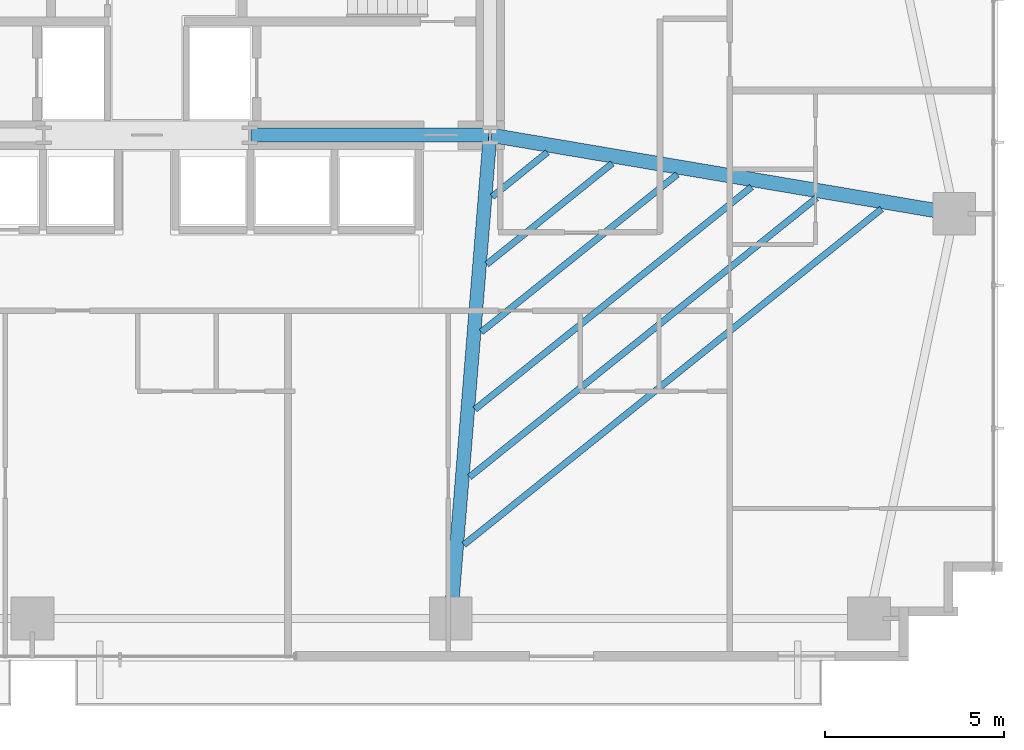
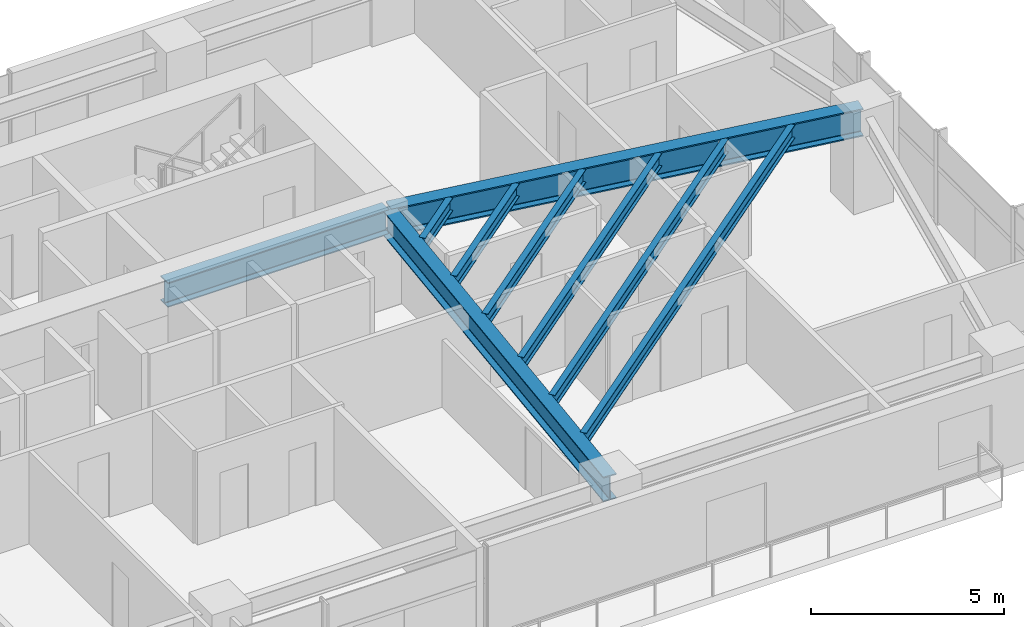
# One storey, part 13 of 25: 9 beams.
"""IFC4 building model written with IfcOpenShell, lengths in metres."""

from ifc_helpers import new_model, si_unit, direction, frame, origin, origin_2d, place, context, subcontext, project, spatial, i_section, extrude, source, transform, mapped, material, material_profile, profile_set, type_object, type_shapes, element, save


model = new_model("IFC4")

# Units and contexts
model_context = context("Model", 3, precision=1e-05, world=origin(), true_north=direction((0.0, 1.0)))
body_context = subcontext(model_context, "Body", "Model", "MODEL_VIEW")
ifc_project = project(units=[si_unit("LENGTHUNIT", "METRE"), si_unit("AREAUNIT", "SQUARE_METRE"), si_unit("VOLUMEUNIT", "CUBIC_METRE"), si_unit("PLANEANGLEUNIT", "RADIAN"), si_unit("MASSUNIT", "GRAM", prefix="KILO")], contexts=[model_context])

# Site, building, storey
site_placement = place(None, origin())
site = spatial("IfcSite", under=ifc_project, at=site_placement, CompositionType="ELEMENT")
building_placement = place(site_placement, origin())
building = spatial("IfcBuilding", under=site, at=building_placement, Name="Astriad Promenade Condominiums", CompositionType="ELEMENT")
storey_placement = place(building_placement, frame((0.0, 0.0, 61.39990234375)))
storey = spatial("IfcBuildingStorey", under=building, at=storey_placement, Name="L17", CompositionType="ELEMENT", Elevation=61.39990234375)

# Beams
ifc_material = material(Name="Steel ASTM A992 Grade 50", Category="steel")
ifc_material_profile_1 = material_profile(ifc_material, i_section(OverallWidth=0.3837890625, OverallDepth=0.785888671875, WebThickness=0.019775390625, FlangeThickness=0.033447265625, FilletRadius=0.021484375, at=origin_2d()), Name="W30X211")
ifc_profile_set_1 = profile_set([ifc_material_profile_1], Name="Steel ASTM A992 Grade 50")
beam_type_1 = type_object("IfcBeamType", Name="STEEL FLOOR GIRDER W30X211", PredefinedType="BEAM", material=ifc_profile_set_1)
shared_shape_1 = source(origin(), body_context, "Body", "SweptSolid", [
    extrude(i_section(OverallWidth=0.3837890625, OverallDepth=0.785888671875, WebThickness=0.019775390625, FlangeThickness=0.033447265625, FilletRadius=0.021484375, at=origin_2d()), origin(), (0.0, 0.0, 1.0), 6.64013671875),
])
beam_1_placement = place(storey_placement, frame((38.919921875, 17.39990234375, 2.547119140625), z_axis=(1.0, 0.0, 0.0), x_axis=(0.0, 1.0, 0.0)))
element("IfcBeam", 1, at=beam_1_placement, inside=storey, type_object=beam_type_1, Name="Core Ring Beam CG-S3-L17", PredefinedType="BEAM", context=body_context, shape_type="MappedRepresentation", body=[
    mapped(shared_shape_1, transform((0.0, 0.0, 0.0), scale=1.0)),
])
shared_shape_2 = source(origin(), body_context, "Body", "SweptSolid", [
    extrude(i_section(OverallWidth=0.3837890625, OverallDepth=0.785888671875, WebThickness=0.019775390625, FlangeThickness=0.033447265625, FilletRadius=0.021484375, at=origin_2d()), origin(), (0.0, 0.0, 1.0), 13.484619140625),
])
type_shapes(beam_type_1, [shared_shape_1, shared_shape_2])
beam_2_placement = place(storey_placement, frame((44.503173828125, 3.919921875, 2.547119140625), z_axis=(0.081092961134, 0.996706542396, 0.0), x_axis=(-0.996706542396, 0.081092961134, 0.0)))
element("IfcBeam", 2, at=beam_2_placement, inside=storey, type_object=beam_type_1, Name="Primary Floor Girder PG-E2-L17", PredefinedType="BEAM", context=body_context, shape_type="MappedRepresentation", body=[
    mapped(shared_shape_2, transform((0.0, 0.0, 0.0), scale=1.0)),
])
ifc_material_profile_2 = material_profile(ifc_material, i_section(OverallWidth=0.4013671875, OverallDepth=0.877197265625, WebThickness=0.022216796875, FlangeThickness=0.039794921875, FilletRadius=0.02294921875, at=origin_2d()), Name="W33X263")
ifc_profile_set_2 = profile_set([ifc_material_profile_2], Name="Steel ASTM A992 Grade 50")
beam_type_2 = type_object("IfcBeamType", Name="STEEL PRIMARY GIRDER W33X263", PredefinedType="BEAM", material=ifc_profile_set_2)
shared_shape_3 = source(origin(), body_context, "Body", "SweptSolid", [
    extrude(i_section(OverallWidth=0.4013671875, OverallDepth=0.877197265625, WebThickness=0.022216796875, FlangeThickness=0.039794921875, FilletRadius=0.02294921875, at=origin_2d()), origin(), (0.0, 0.0, 1.0), 13.085205078125),
])
type_shapes(beam_type_2, [shared_shape_3])
beam_3_placement = place(storey_placement, frame((58.54052734375, 15.206787109375, 2.501708984375), z_axis=(-0.985939912267, 0.167100237577, 0.0), x_axis=(-0.167100237577, -0.985939912267, 0.0)))
element("IfcBeam", 3, at=beam_3_placement, inside=storey, type_object=beam_type_2, Name="Primary Floor Girder PG-EM-L17", PredefinedType="BEAM", context=body_context, shape_type="MappedRepresentation", body=[
    mapped(shared_shape_3, transform((0.0, 0.0, 0.0), scale=1.0)),
])
ifc_material_profile_3 = material_profile(ifc_material, i_section(OverallWidth=0.180908203125, OverallDepth=0.417236328125, WebThickness=0.010986328125, FlangeThickness=0.018310546875, FilletRadius=0.013916015625, at=origin_2d()), Name="W16X57")
ifc_profile_set_3 = profile_set([ifc_material_profile_3], Name="Steel ASTM A992 Grade 50")
beam_type_3 = type_object("IfcBeamType", Name="STEEL FLOOR JOIST W16X57", PredefinedType="JOIST", material=ifc_profile_set_3)
shared_shape_4 = source(origin(), body_context, "Body", "SweptSolid", [
    extrude(i_section(OverallWidth=0.180908203125, OverallDepth=0.417236328125, WebThickness=0.010986328125, FlangeThickness=0.018310546875, FilletRadius=0.013916015625, at=origin_2d()), origin(), (0.0, 0.0, 1.0), 14.984375),
])
beam_4_placement = place(storey_placement, frame((44.867919921875, 5.944580078125, 2.7314453125), z_axis=(0.77934368876, 0.626596692291, 0.0), x_axis=(-0.626596692291, 0.77934368876, 0.0)))
element("IfcBeam", 4, at=beam_4_placement, inside=storey, type_object=beam_type_3, Name="Secondary Composite Floor Joist JE1-1-L17", PredefinedType="JOIST", context=body_context, shape_type="MappedRepresentation", body=[
    mapped(shared_shape_4, transform((0.0, 0.0, 0.0), scale=1.0)),
])
shared_shape_5 = source(origin(), body_context, "Body", "SweptSolid", [
    extrude(i_section(OverallWidth=0.180908203125, OverallDepth=0.417236328125, WebThickness=0.010986328125, FlangeThickness=0.018310546875, FilletRadius=0.013916015625, at=origin_2d()), origin(), (0.0, 0.0, 1.0), 12.455078125),
])
beam_5_placement = place(storey_placement, frame((45.021728515625, 7.83740234375, 2.7314453125), z_axis=(0.77935577594, 0.626581658292, 0.0), x_axis=(-0.626581658292, 0.77935577594, 0.0)))
element("IfcBeam", 5, at=beam_5_placement, inside=storey, type_object=beam_type_3, Name="Secondary Composite Floor Joist JE1-2-L17", PredefinedType="JOIST", context=body_context, shape_type="MappedRepresentation", body=[
    mapped(shared_shape_5, transform((0.0, 0.0, 0.0), scale=1.0)),
])
shared_shape_6 = source(origin(), body_context, "Body", "SweptSolid", [
    extrude(i_section(OverallWidth=0.180908203125, OverallDepth=0.417236328125, WebThickness=0.010986328125, FlangeThickness=0.018310546875, FilletRadius=0.013916015625, at=origin_2d()), origin(), (0.0, 0.0, 1.0), 9.926025390625),
])
beam_6_placement = place(storey_placement, frame((45.17578125, 9.730224609375, 2.7314453125), z_axis=(0.779352355084, 0.626585913203, 0.0), x_axis=(-0.626585913203, 0.779352355084, 0.0)))
element("IfcBeam", 6, at=beam_6_placement, inside=storey, type_object=beam_type_3, Name="Secondary Composite Floor Joist JE1-3-L17", PredefinedType="JOIST", context=body_context, shape_type="MappedRepresentation", body=[
    mapped(shared_shape_6, transform((0.0, 0.0, 0.0), scale=1.0)),
])
shared_shape_7 = source(origin(), body_context, "Body", "SweptSolid", [
    extrude(i_section(OverallWidth=0.180908203125, OverallDepth=0.417236328125, WebThickness=0.010986328125, FlangeThickness=0.018310546875, FilletRadius=0.013916015625, at=origin_2d()), origin(), (0.0, 0.0, 1.0), 7.03515625),
])
beam_7_placement = place(storey_placement, frame((45.351806640625, 11.8935546875, 2.7314453125), z_axis=(0.779349752639, 0.626589150131, 0.0), x_axis=(-0.626589150131, 0.779349752639, 0.0)))
element("IfcBeam", 7, at=beam_7_placement, inside=storey, type_object=beam_type_3, Name="Secondary Composite Floor Joist JE1-4-L17", PredefinedType="JOIST", context=body_context, shape_type="MappedRepresentation", body=[
    mapped(shared_shape_7, transform((0.0, 0.0, 0.0), scale=1.0)),
])
shared_shape_8 = source(origin(), body_context, "Body", "SweptSolid", [
    extrude(i_section(OverallWidth=0.180908203125, OverallDepth=0.417236328125, WebThickness=0.010986328125, FlangeThickness=0.018310546875, FilletRadius=0.013916015625, at=origin_2d()), origin(), (0.0, 0.0, 1.0), 4.505859375),
])
beam_8_placement = place(storey_placement, frame((45.505859375, 13.786376953125, 2.7314453125), z_axis=(0.779365294733, 0.626569818429, 0.0), x_axis=(-0.626569818429, 0.779365294733, 0.0)))
element("IfcBeam", 8, at=beam_8_placement, inside=storey, type_object=beam_type_3, Name="Secondary Composite Floor Joist JE1-5-L17", PredefinedType="JOIST", context=body_context, shape_type="MappedRepresentation", body=[
    mapped(shared_shape_8, transform((0.0, 0.0, 0.0), scale=1.0)),
])
shared_shape_9 = source(origin(), body_context, "Body", "SweptSolid", [
    extrude(i_section(OverallWidth=0.180908203125, OverallDepth=0.417236328125, WebThickness=0.010986328125, FlangeThickness=0.018310546875, FilletRadius=0.013916015625, at=origin_2d()), origin(), (0.0, 0.0, 1.0), 1.9765625),
])
type_shapes(beam_type_3, [shared_shape_4, shared_shape_5, shared_shape_6, shared_shape_7, shared_shape_8, shared_shape_9])
beam_9_placement = place(storey_placement, frame((45.659912109375, 15.67919921875, 2.7314453125), z_axis=(0.77936029648, 0.626576035506, 0.0), x_axis=(-0.626576035506, 0.77936029648, 0.0)))
element("IfcBeam", 9, at=beam_9_placement, inside=storey, type_object=beam_type_3, Name="Secondary Composite Floor Joist JE1-6-L17", PredefinedType="JOIST", context=body_context, shape_type="MappedRepresentation", body=[
    mapped(shared_shape_9, transform((0.0, 0.0, 0.0), scale=1.0)),
])

save(model, "model.ifc")
